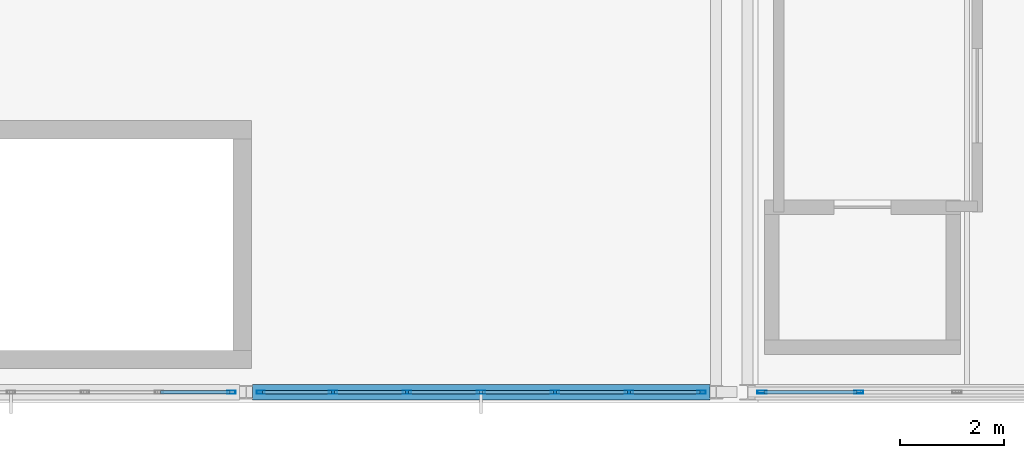
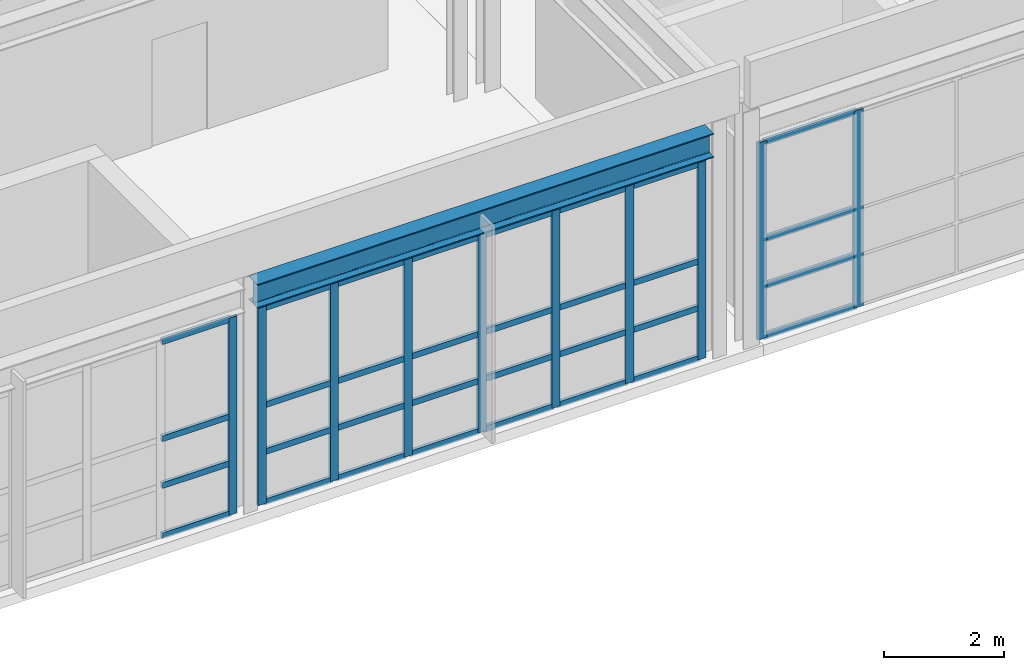
# One storey, part 17 of 38: 42 members, 1 beam, 3 elements without a shape of their own.
"""IFC4 building model written with IfcOpenShell, lengths in metres."""

from ifc_helpers import new_model, si_unit, direction, frame, origin, origin_2d, place, context, subcontext, project, spatial, hollow_rectangle, i_section, extrude, material, material_profile, profile_set, type_object, element, aggregate, save


model = new_model("IFC4")

# Units and contexts
model_context = context("Model", 3, precision=1e-05, world=origin(), true_north=direction((0.0, 1.0)))
body_context = subcontext(model_context, "Body", "Model", "MODEL_VIEW")
ifc_project = project(units=[si_unit("LENGTHUNIT", "METRE"), si_unit("AREAUNIT", "SQUARE_METRE"), si_unit("VOLUMEUNIT", "CUBIC_METRE"), si_unit("PLANEANGLEUNIT", "RADIAN"), si_unit("MASSUNIT", "GRAM", prefix="KILO")], contexts=[model_context])

# Site, building, storey
site_placement = place(None, origin())
site = spatial("IfcSite", under=ifc_project, at=site_placement, CompositionType="ELEMENT")
building_placement = place(site_placement, origin())
building = spatial("IfcBuilding", under=site, at=building_placement, Name="Kaldris Quays Convention Centre", CompositionType="ELEMENT")
storey_placement = place(building_placement, frame((0.0, 0.0, 21.60009765625)))
storey = spatial("IfcBuildingStorey", under=building, at=storey_placement, Name="L04", CompositionType="ELEMENT", Elevation=21.60009765625)

# Curtain wall, member
ifc_material_1 = material(Name="Anodized aluminium AW-6060 and triple glazing", Category="aluminium")
curtain_wall_type_1 = type_object("IfcCurtainWallType", Name="UNITISED CURTAIN WALL CW04", PredefinedType="NOTDEFINED", material=ifc_material_1)
curtain_wall_1_placement = place(storey_placement, origin())
curtain_wall_1 = element("IfcCurtainWall", 1, at=curtain_wall_1_placement, inside=storey, type_object=curtain_wall_type_1, Name="L04 Unitised Curtain Wall CW04 133", PredefinedType="NOTDEFINED")
ifc_material_2 = material(Name="Anodized aluminium AW-6060", Category="aluminium")
ifc_material_profile_1 = material_profile(ifc_material_2, hollow_rectangle(XDim=0.06005859375, YDim=0.159912109375, WallThickness=0.00390625, at=origin_2d()), Name="RHS 160x60x4")
ifc_profile_set_1 = profile_set([ifc_material_profile_1], Name="Anodized aluminium AW-6060")
member_type_1 = type_object("IfcMemberType", Name="CURTAIN MULLION CWM1", PredefinedType="MULLION", material=ifc_profile_set_1)
member_1_placement = place(storey_placement, frame((136.719970703125, 38.0, 0.0), z_axis=(0.0, 0.0, 1.0), x_axis=(0.0, 1.0, 0.0)))
member_1 = element("IfcMember", 2, at=member_1_placement, type_object=member_type_1, Name="CW04 mullion 7", PredefinedType="MULLION", context=body_context, shape_type="SweptSolid", body=[
    extrude(hollow_rectangle(XDim=0.06005859375, YDim=0.159912109375, WallThickness=0.00390625, at=origin_2d()), origin(), (0.0, 0.0, 1.0), 4.0),
])

# Curtain wall, members
curtain_wall_2_placement = place(storey_placement, origin())
curtain_wall_2 = element("IfcCurtainWall", 3, at=curtain_wall_2_placement, inside=storey, type_object=curtain_wall_type_1, Name="L04 Unitised Curtain Wall CW04 134", PredefinedType="NOTDEFINED")
member_2_placement = place(storey_placement, frame((137.280029296875, 38.0, 0.0), z_axis=(0.0, 0.0, 1.0), x_axis=(0.0, 1.0, 0.0)))
member_2 = element("IfcMember", 4, at=member_2_placement, type_object=member_type_1, Name="CW04 mullion 1", PredefinedType="MULLION", context=body_context, shape_type="SweptSolid", body=[
    extrude(hollow_rectangle(XDim=0.06005859375, YDim=0.159912109375, WallThickness=0.00390625, at=origin_2d()), origin(), (0.0, 0.0, 1.0), 4.0),
])
member_3_placement = place(storey_placement, frame((138.666748046875, 38.0, 0.0), z_axis=(0.0, 0.0, 1.0), x_axis=(0.0, 1.0, 0.0)))
member_3 = element("IfcMember", 5, at=member_3_placement, type_object=member_type_1, Name="CW04 mullion 2", PredefinedType="MULLION", context=body_context, shape_type="SweptSolid", body=[
    extrude(hollow_rectangle(XDim=0.06005859375, YDim=0.159912109375, WallThickness=0.00390625, at=origin_2d()), origin(), (0.0, 0.0, 1.0), 4.0),
])
member_4_placement = place(storey_placement, frame((140.083251953125, 38.0, 0.0), z_axis=(0.0, 0.0, 1.0), x_axis=(0.0, 1.0, 0.0)))
member_4 = element("IfcMember", 6, at=member_4_placement, type_object=member_type_1, Name="CW04 mullion 3", PredefinedType="MULLION", context=body_context, shape_type="SweptSolid", body=[
    extrude(hollow_rectangle(XDim=0.06005859375, YDim=0.159912109375, WallThickness=0.00390625, at=origin_2d()), origin(), (0.0, 0.0, 1.0), 4.0),
])
member_5_placement = place(storey_placement, frame((141.5, 38.0, 0.0), z_axis=(0.0, 0.0, 1.0), x_axis=(0.0, 1.0, 0.0)))
member_5 = element("IfcMember", 7, at=member_5_placement, type_object=member_type_1, Name="CW04 mullion 4", PredefinedType="MULLION", context=body_context, shape_type="SweptSolid", body=[
    extrude(hollow_rectangle(XDim=0.06005859375, YDim=0.159912109375, WallThickness=0.00390625, at=origin_2d()), origin(), (0.0, 0.0, 1.0), 4.0),
])
member_6_placement = place(storey_placement, frame((142.916748046875, 38.0, 0.0), z_axis=(0.0, 0.0, 1.0), x_axis=(0.0, 1.0, 0.0)))
member_6 = element("IfcMember", 8, at=member_6_placement, type_object=member_type_1, Name="CW04 mullion 5", PredefinedType="MULLION", context=body_context, shape_type="SweptSolid", body=[
    extrude(hollow_rectangle(XDim=0.06005859375, YDim=0.159912109375, WallThickness=0.00390625, at=origin_2d()), origin(), (0.0, 0.0, 1.0), 4.0),
])
member_7_placement = place(storey_placement, frame((144.333251953125, 38.0, 0.0), z_axis=(0.0, 0.0, 1.0), x_axis=(0.0, 1.0, 0.0)))
member_7 = element("IfcMember", 9, at=member_7_placement, type_object=member_type_1, Name="CW04 mullion 6", PredefinedType="MULLION", context=body_context, shape_type="SweptSolid", body=[
    extrude(hollow_rectangle(XDim=0.06005859375, YDim=0.159912109375, WallThickness=0.00390625, at=origin_2d()), origin(), (0.0, 0.0, 1.0), 4.0),
])
member_8_placement = place(storey_placement, frame((145.719970703125, 38.0, 0.0), z_axis=(0.0, 0.0, 1.0), x_axis=(0.0, 1.0, 0.0)))
member_8 = element("IfcMember", 10, at=member_8_placement, type_object=member_type_1, Name="CW04 mullion 7", PredefinedType="MULLION", context=body_context, shape_type="SweptSolid", body=[
    extrude(hollow_rectangle(XDim=0.06005859375, YDim=0.159912109375, WallThickness=0.00390625, at=origin_2d()), origin(), (0.0, 0.0, 1.0), 4.0),
])

curtain_wall_type_2 = type_object("IfcCurtainWallType", Name="UNITISED CURTAIN WALL CW05", PredefinedType="NOTDEFINED", material=ifc_material_1)
curtain_wall_3_placement = place(storey_placement, origin())
curtain_wall_3 = element("IfcCurtainWall", 11, at=curtain_wall_3_placement, inside=storey, type_object=curtain_wall_type_2, Name="L04 Unitised Curtain Wall CW05 152", PredefinedType="NOTDEFINED")
ifc_material_profile_2 = material_profile(ifc_material_2, hollow_rectangle(XDim=0.06005859375, YDim=0.179931640625, WallThickness=0.0048828125, at=origin_2d()), Name="RHS 180x60x5")
ifc_profile_set_2 = profile_set([ifc_material_profile_2], Name="Anodized aluminium AW-6060")
member_type_2 = type_object("IfcMemberType", Name="CURTAIN MULLION CWM2", PredefinedType="MULLION", material=ifc_profile_set_2)
member_9_placement = place(storey_placement, frame((146.8798828125, 38.0, 0.0), z_axis=(0.0, 0.0, 1.0), x_axis=(0.0, 1.0, 0.0)))
member_9 = element("IfcMember", 12, at=member_9_placement, type_object=member_type_2, Name="CW05 mullion 1", PredefinedType="MULLION", context=body_context, shape_type="SweptSolid", body=[
    extrude(hollow_rectangle(XDim=0.06005859375, YDim=0.179931640625, WallThickness=0.0048828125, at=origin_2d()), origin(), (0.0, 0.0, 1.0), 4.0),
])
member_10_placement = place(storey_placement, frame((148.727783203125, 38.0, 0.0), z_axis=(0.0, 0.0, 1.0), x_axis=(0.0, 1.0, 0.0)))
member_10 = element("IfcMember", 13, at=member_10_placement, type_object=member_type_2, Name="CW05 mullion 2", PredefinedType="MULLION", context=body_context, shape_type="SweptSolid", body=[
    extrude(hollow_rectangle(XDim=0.06005859375, YDim=0.179931640625, WallThickness=0.0048828125, at=origin_2d()), origin(), (0.0, 0.0, 1.0), 4.0),
])

# Member
ifc_material_profile_3 = material_profile(ifc_material_2, hollow_rectangle(XDim=0.06005859375, YDim=0.1201171875, WallThickness=0.00390625, at=origin_2d()), Name="RHS 120x60x4")
ifc_profile_set_3 = profile_set([ifc_material_profile_3], Name="Anodized aluminium AW-6060")
member_type_3 = type_object("IfcMemberType", Name="CURTAIN TRANSOM CWT1", PredefinedType="USERDEFINED", material=ifc_profile_set_3)
member_11_placement = place(storey_placement, frame((135.36328125, 38.0, 0.02978515625), z_axis=(1.0, 0.0, 0.0), x_axis=(0.0, 1.0, 0.0)))
member_11 = element("IfcMember", 14, at=member_11_placement, type_object=member_type_3, Name="CW04 transom 6.1", ObjectType="TRANSOM", PredefinedType="USERDEFINED", context=body_context, shape_type="SweptSolid", body=[
    extrude(hollow_rectangle(XDim=0.06005859375, YDim=0.1201171875, WallThickness=0.00390625, at=origin_2d()), origin(), (0.0, 0.0, 1.0), 1.32666015625),
])

member_12_placement = place(storey_placement, frame((135.36328125, 38.0, 1.0498046875), z_axis=(1.0, 0.0, 0.0), x_axis=(0.0, 1.0, 0.0)))
member_12 = element("IfcMember", 15, at=member_12_placement, type_object=member_type_3, Name="CW04 transom 6.2", ObjectType="TRANSOM", PredefinedType="USERDEFINED", context=body_context, shape_type="SweptSolid", body=[
    extrude(hollow_rectangle(XDim=0.06005859375, YDim=0.1201171875, WallThickness=0.00390625, at=origin_2d()), origin(), (0.0, 0.0, 1.0), 1.32666015625),
])

member_13_placement = place(storey_placement, frame((135.36328125, 38.0, 2.0), z_axis=(1.0, 0.0, 0.0), x_axis=(0.0, 1.0, 0.0)))
member_13 = element("IfcMember", 16, at=member_13_placement, type_object=member_type_3, Name="CW04 transom 6.3", ObjectType="TRANSOM", PredefinedType="USERDEFINED", context=body_context, shape_type="SweptSolid", body=[
    extrude(hollow_rectangle(XDim=0.06005859375, YDim=0.1201171875, WallThickness=0.00390625, at=origin_2d()), origin(), (0.0, 0.0, 1.0), 1.32666015625),
])

member_14_placement = place(storey_placement, frame((135.36328125, 38.0, 3.969970703125), z_axis=(1.0, 0.0, 0.0), x_axis=(0.0, 1.0, 0.0)))
member_14 = element("IfcMember", 17, at=member_14_placement, type_object=member_type_3, Name="CW04 transom 6.4", ObjectType="TRANSOM", PredefinedType="USERDEFINED", context=body_context, shape_type="SweptSolid", body=[
    extrude(hollow_rectangle(XDim=0.06005859375, YDim=0.1201171875, WallThickness=0.00390625, at=origin_2d()), origin(), (0.0, 0.0, 1.0), 1.32666015625),
])

aggregate(curtain_wall_1, [member_1, member_11, member_12, member_13, member_14])

member_15_placement = place(storey_placement, frame((137.31005859375, 38.0, 0.02978515625), z_axis=(1.0, 0.0, 0.0), x_axis=(0.0, 1.0, 0.0)))
member_15 = element("IfcMember", 18, at=member_15_placement, type_object=member_type_3, Name="CW04 transom 1.1", ObjectType="TRANSOM", PredefinedType="USERDEFINED", context=body_context, shape_type="SweptSolid", body=[
    extrude(hollow_rectangle(XDim=0.06005859375, YDim=0.1201171875, WallThickness=0.00390625, at=origin_2d()), origin(), (0.0, 0.0, 1.0), 1.32666015625),
])

member_16_placement = place(storey_placement, frame((137.31005859375, 38.0, 1.0498046875), z_axis=(1.0, 0.0, 0.0), x_axis=(0.0, 1.0, 0.0)))
member_16 = element("IfcMember", 19, at=member_16_placement, type_object=member_type_3, Name="CW04 transom 1.2", ObjectType="TRANSOM", PredefinedType="USERDEFINED", context=body_context, shape_type="SweptSolid", body=[
    extrude(hollow_rectangle(XDim=0.06005859375, YDim=0.1201171875, WallThickness=0.00390625, at=origin_2d()), origin(), (0.0, 0.0, 1.0), 1.32666015625),
])

member_17_placement = place(storey_placement, frame((137.31005859375, 38.0, 2.0), z_axis=(1.0, 0.0, 0.0), x_axis=(0.0, 1.0, 0.0)))
member_17 = element("IfcMember", 20, at=member_17_placement, type_object=member_type_3, Name="CW04 transom 1.3", ObjectType="TRANSOM", PredefinedType="USERDEFINED", context=body_context, shape_type="SweptSolid", body=[
    extrude(hollow_rectangle(XDim=0.06005859375, YDim=0.1201171875, WallThickness=0.00390625, at=origin_2d()), origin(), (0.0, 0.0, 1.0), 1.32666015625),
])

member_18_placement = place(storey_placement, frame((137.31005859375, 38.0, 3.969970703125), z_axis=(1.0, 0.0, 0.0), x_axis=(0.0, 1.0, 0.0)))
member_18 = element("IfcMember", 21, at=member_18_placement, type_object=member_type_3, Name="CW04 transom 1.4", ObjectType="TRANSOM", PredefinedType="USERDEFINED", context=body_context, shape_type="SweptSolid", body=[
    extrude(hollow_rectangle(XDim=0.06005859375, YDim=0.1201171875, WallThickness=0.00390625, at=origin_2d()), origin(), (0.0, 0.0, 1.0), 1.32666015625),
])

member_19_placement = place(storey_placement, frame((138.69677734375, 38.0, 0.02978515625), z_axis=(1.0, 0.0, 0.0), x_axis=(0.0, 1.0, 0.0)))
member_19 = element("IfcMember", 22, at=member_19_placement, type_object=member_type_3, Name="CW04 transom 2.1", ObjectType="TRANSOM", PredefinedType="USERDEFINED", context=body_context, shape_type="SweptSolid", body=[
    extrude(hollow_rectangle(XDim=0.06005859375, YDim=0.1201171875, WallThickness=0.00390625, at=origin_2d()), origin(), (0.0, 0.0, 1.0), 1.3564453125),
])

member_20_placement = place(storey_placement, frame((138.69677734375, 38.0, 1.0498046875), z_axis=(1.0, 0.0, 0.0), x_axis=(0.0, 1.0, 0.0)))
member_20 = element("IfcMember", 23, at=member_20_placement, type_object=member_type_3, Name="CW04 transom 2.2", ObjectType="TRANSOM", PredefinedType="USERDEFINED", context=body_context, shape_type="SweptSolid", body=[
    extrude(hollow_rectangle(XDim=0.06005859375, YDim=0.1201171875, WallThickness=0.00390625, at=origin_2d()), origin(), (0.0, 0.0, 1.0), 1.3564453125),
])

member_21_placement = place(storey_placement, frame((138.69677734375, 38.0, 2.0), z_axis=(1.0, 0.0, 0.0), x_axis=(0.0, 1.0, 0.0)))
member_21 = element("IfcMember", 24, at=member_21_placement, type_object=member_type_3, Name="CW04 transom 2.3", ObjectType="TRANSOM", PredefinedType="USERDEFINED", context=body_context, shape_type="SweptSolid", body=[
    extrude(hollow_rectangle(XDim=0.06005859375, YDim=0.1201171875, WallThickness=0.00390625, at=origin_2d()), origin(), (0.0, 0.0, 1.0), 1.3564453125),
])

member_22_placement = place(storey_placement, frame((138.69677734375, 38.0, 3.969970703125), z_axis=(1.0, 0.0, 0.0), x_axis=(0.0, 1.0, 0.0)))
member_22 = element("IfcMember", 25, at=member_22_placement, type_object=member_type_3, Name="CW04 transom 2.4", ObjectType="TRANSOM", PredefinedType="USERDEFINED", context=body_context, shape_type="SweptSolid", body=[
    extrude(hollow_rectangle(XDim=0.06005859375, YDim=0.1201171875, WallThickness=0.00390625, at=origin_2d()), origin(), (0.0, 0.0, 1.0), 1.3564453125),
])

member_23_placement = place(storey_placement, frame((140.11328125, 38.0, 0.02978515625), z_axis=(1.0, 0.0, 0.0), x_axis=(0.0, 1.0, 0.0)))
member_23 = element("IfcMember", 26, at=member_23_placement, type_object=member_type_3, Name="CW04 transom 3.1", ObjectType="TRANSOM", PredefinedType="USERDEFINED", context=body_context, shape_type="SweptSolid", body=[
    extrude(hollow_rectangle(XDim=0.06005859375, YDim=0.1201171875, WallThickness=0.00390625, at=origin_2d()), origin(), (0.0, 0.0, 1.0), 1.356689453125),
])

member_24_placement = place(storey_placement, frame((140.11328125, 38.0, 1.0498046875), z_axis=(1.0, 0.0, 0.0), x_axis=(0.0, 1.0, 0.0)))
member_24 = element("IfcMember", 27, at=member_24_placement, type_object=member_type_3, Name="CW04 transom 3.2", ObjectType="TRANSOM", PredefinedType="USERDEFINED", context=body_context, shape_type="SweptSolid", body=[
    extrude(hollow_rectangle(XDim=0.06005859375, YDim=0.1201171875, WallThickness=0.00390625, at=origin_2d()), origin(), (0.0, 0.0, 1.0), 1.356689453125),
])

member_25_placement = place(storey_placement, frame((140.11328125, 38.0, 2.0), z_axis=(1.0, 0.0, 0.0), x_axis=(0.0, 1.0, 0.0)))
member_25 = element("IfcMember", 28, at=member_25_placement, type_object=member_type_3, Name="CW04 transom 3.3", ObjectType="TRANSOM", PredefinedType="USERDEFINED", context=body_context, shape_type="SweptSolid", body=[
    extrude(hollow_rectangle(XDim=0.06005859375, YDim=0.1201171875, WallThickness=0.00390625, at=origin_2d()), origin(), (0.0, 0.0, 1.0), 1.356689453125),
])

member_26_placement = place(storey_placement, frame((140.11328125, 38.0, 3.969970703125), z_axis=(1.0, 0.0, 0.0), x_axis=(0.0, 1.0, 0.0)))
member_26 = element("IfcMember", 29, at=member_26_placement, type_object=member_type_3, Name="CW04 transom 3.4", ObjectType="TRANSOM", PredefinedType="USERDEFINED", context=body_context, shape_type="SweptSolid", body=[
    extrude(hollow_rectangle(XDim=0.06005859375, YDim=0.1201171875, WallThickness=0.00390625, at=origin_2d()), origin(), (0.0, 0.0, 1.0), 1.356689453125),
])

member_27_placement = place(storey_placement, frame((141.530029296875, 38.0, 0.02978515625), z_axis=(1.0, 0.0, 0.0), x_axis=(0.0, 1.0, 0.0)))
member_27 = element("IfcMember", 30, at=member_27_placement, type_object=member_type_3, Name="CW04 transom 4.1", ObjectType="TRANSOM", PredefinedType="USERDEFINED", context=body_context, shape_type="SweptSolid", body=[
    extrude(hollow_rectangle(XDim=0.06005859375, YDim=0.1201171875, WallThickness=0.00390625, at=origin_2d()), origin(), (0.0, 0.0, 1.0), 1.356689453125),
])

member_28_placement = place(storey_placement, frame((141.530029296875, 38.0, 1.0498046875), z_axis=(1.0, 0.0, 0.0), x_axis=(0.0, 1.0, 0.0)))
member_28 = element("IfcMember", 31, at=member_28_placement, type_object=member_type_3, Name="CW04 transom 4.2", ObjectType="TRANSOM", PredefinedType="USERDEFINED", context=body_context, shape_type="SweptSolid", body=[
    extrude(hollow_rectangle(XDim=0.06005859375, YDim=0.1201171875, WallThickness=0.00390625, at=origin_2d()), origin(), (0.0, 0.0, 1.0), 1.356689453125),
])

member_29_placement = place(storey_placement, frame((141.530029296875, 38.0, 2.0), z_axis=(1.0, 0.0, 0.0), x_axis=(0.0, 1.0, 0.0)))
member_29 = element("IfcMember", 32, at=member_29_placement, type_object=member_type_3, Name="CW04 transom 4.3", ObjectType="TRANSOM", PredefinedType="USERDEFINED", context=body_context, shape_type="SweptSolid", body=[
    extrude(hollow_rectangle(XDim=0.06005859375, YDim=0.1201171875, WallThickness=0.00390625, at=origin_2d()), origin(), (0.0, 0.0, 1.0), 1.356689453125),
])

member_30_placement = place(storey_placement, frame((141.530029296875, 38.0, 3.969970703125), z_axis=(1.0, 0.0, 0.0), x_axis=(0.0, 1.0, 0.0)))
member_30 = element("IfcMember", 33, at=member_30_placement, type_object=member_type_3, Name="CW04 transom 4.4", ObjectType="TRANSOM", PredefinedType="USERDEFINED", context=body_context, shape_type="SweptSolid", body=[
    extrude(hollow_rectangle(XDim=0.06005859375, YDim=0.1201171875, WallThickness=0.00390625, at=origin_2d()), origin(), (0.0, 0.0, 1.0), 1.356689453125),
])

member_31_placement = place(storey_placement, frame((142.94677734375, 38.0, 0.02978515625), z_axis=(1.0, 0.0, 0.0), x_axis=(0.0, 1.0, 0.0)))
member_31 = element("IfcMember", 34, at=member_31_placement, type_object=member_type_3, Name="CW04 transom 5.1", ObjectType="TRANSOM", PredefinedType="USERDEFINED", context=body_context, shape_type="SweptSolid", body=[
    extrude(hollow_rectangle(XDim=0.06005859375, YDim=0.1201171875, WallThickness=0.00390625, at=origin_2d()), origin(), (0.0, 0.0, 1.0), 1.3564453125),
])

member_32_placement = place(storey_placement, frame((142.94677734375, 38.0, 1.0498046875), z_axis=(1.0, 0.0, 0.0), x_axis=(0.0, 1.0, 0.0)))
member_32 = element("IfcMember", 35, at=member_32_placement, type_object=member_type_3, Name="CW04 transom 5.2", ObjectType="TRANSOM", PredefinedType="USERDEFINED", context=body_context, shape_type="SweptSolid", body=[
    extrude(hollow_rectangle(XDim=0.06005859375, YDim=0.1201171875, WallThickness=0.00390625, at=origin_2d()), origin(), (0.0, 0.0, 1.0), 1.3564453125),
])

member_33_placement = place(storey_placement, frame((142.94677734375, 38.0, 2.0), z_axis=(1.0, 0.0, 0.0), x_axis=(0.0, 1.0, 0.0)))
member_33 = element("IfcMember", 36, at=member_33_placement, type_object=member_type_3, Name="CW04 transom 5.3", ObjectType="TRANSOM", PredefinedType="USERDEFINED", context=body_context, shape_type="SweptSolid", body=[
    extrude(hollow_rectangle(XDim=0.06005859375, YDim=0.1201171875, WallThickness=0.00390625, at=origin_2d()), origin(), (0.0, 0.0, 1.0), 1.3564453125),
])

member_34_placement = place(storey_placement, frame((142.94677734375, 38.0, 3.969970703125), z_axis=(1.0, 0.0, 0.0), x_axis=(0.0, 1.0, 0.0)))
member_34 = element("IfcMember", 37, at=member_34_placement, type_object=member_type_3, Name="CW04 transom 5.4", ObjectType="TRANSOM", PredefinedType="USERDEFINED", context=body_context, shape_type="SweptSolid", body=[
    extrude(hollow_rectangle(XDim=0.06005859375, YDim=0.1201171875, WallThickness=0.00390625, at=origin_2d()), origin(), (0.0, 0.0, 1.0), 1.3564453125),
])

member_35_placement = place(storey_placement, frame((144.36328125, 38.0, 0.02978515625), z_axis=(1.0, 0.0, 0.0), x_axis=(0.0, 1.0, 0.0)))
member_35 = element("IfcMember", 38, at=member_35_placement, type_object=member_type_3, Name="CW04 transom 6.1", ObjectType="TRANSOM", PredefinedType="USERDEFINED", context=body_context, shape_type="SweptSolid", body=[
    extrude(hollow_rectangle(XDim=0.06005859375, YDim=0.1201171875, WallThickness=0.00390625, at=origin_2d()), origin(), (0.0, 0.0, 1.0), 1.32666015625),
])

member_36_placement = place(storey_placement, frame((144.36328125, 38.0, 1.0498046875), z_axis=(1.0, 0.0, 0.0), x_axis=(0.0, 1.0, 0.0)))
member_36 = element("IfcMember", 39, at=member_36_placement, type_object=member_type_3, Name="CW04 transom 6.2", ObjectType="TRANSOM", PredefinedType="USERDEFINED", context=body_context, shape_type="SweptSolid", body=[
    extrude(hollow_rectangle(XDim=0.06005859375, YDim=0.1201171875, WallThickness=0.00390625, at=origin_2d()), origin(), (0.0, 0.0, 1.0), 1.32666015625),
])

member_37_placement = place(storey_placement, frame((144.36328125, 38.0, 2.0), z_axis=(1.0, 0.0, 0.0), x_axis=(0.0, 1.0, 0.0)))
member_37 = element("IfcMember", 40, at=member_37_placement, type_object=member_type_3, Name="CW04 transom 6.3", ObjectType="TRANSOM", PredefinedType="USERDEFINED", context=body_context, shape_type="SweptSolid", body=[
    extrude(hollow_rectangle(XDim=0.06005859375, YDim=0.1201171875, WallThickness=0.00390625, at=origin_2d()), origin(), (0.0, 0.0, 1.0), 1.32666015625),
])

member_38_placement = place(storey_placement, frame((144.36328125, 38.0, 3.969970703125), z_axis=(1.0, 0.0, 0.0), x_axis=(0.0, 1.0, 0.0)))
member_38 = element("IfcMember", 41, at=member_38_placement, type_object=member_type_3, Name="CW04 transom 6.4", ObjectType="TRANSOM", PredefinedType="USERDEFINED", context=body_context, shape_type="SweptSolid", body=[
    extrude(hollow_rectangle(XDim=0.06005859375, YDim=0.1201171875, WallThickness=0.00390625, at=origin_2d()), origin(), (0.0, 0.0, 1.0), 1.32666015625),
])

aggregate(curtain_wall_2, [member_2, member_3, member_4, member_5, member_6, member_7, member_8, member_15, member_16, member_17, member_18, member_19, member_20, member_21, member_22, member_23, member_24, member_25, member_26, member_27, member_28, member_29, member_30, member_31, member_32, member_33, member_34, member_35, member_36, member_37, member_38])

member_39_placement = place(storey_placement, frame((146.909912109375, 38.0, 0.02978515625), z_axis=(1.0, 0.0, 0.0), x_axis=(0.0, 1.0, 0.0)))
member_39 = element("IfcMember", 42, at=member_39_placement, type_object=member_type_3, Name="CW05 transom 1.1", ObjectType="TRANSOM", PredefinedType="USERDEFINED", context=body_context, shape_type="SweptSolid", body=[
    extrude(hollow_rectangle(XDim=0.06005859375, YDim=0.1201171875, WallThickness=0.00390625, at=origin_2d()), origin(), (0.0, 0.0, 1.0), 1.787841796875),
])

member_40_placement = place(storey_placement, frame((146.909912109375, 38.0, 1.0498046875), z_axis=(1.0, 0.0, 0.0), x_axis=(0.0, 1.0, 0.0)))
member_40 = element("IfcMember", 43, at=member_40_placement, type_object=member_type_3, Name="CW05 transom 1.2", ObjectType="TRANSOM", PredefinedType="USERDEFINED", context=body_context, shape_type="SweptSolid", body=[
    extrude(hollow_rectangle(XDim=0.06005859375, YDim=0.1201171875, WallThickness=0.00390625, at=origin_2d()), origin(), (0.0, 0.0, 1.0), 1.787841796875),
])

member_41_placement = place(storey_placement, frame((146.909912109375, 38.0, 2.0), z_axis=(1.0, 0.0, 0.0), x_axis=(0.0, 1.0, 0.0)))
member_41 = element("IfcMember", 44, at=member_41_placement, type_object=member_type_3, Name="CW05 transom 1.3", ObjectType="TRANSOM", PredefinedType="USERDEFINED", context=body_context, shape_type="SweptSolid", body=[
    extrude(hollow_rectangle(XDim=0.06005859375, YDim=0.1201171875, WallThickness=0.00390625, at=origin_2d()), origin(), (0.0, 0.0, 1.0), 1.787841796875),
])

member_42_placement = place(storey_placement, frame((146.909912109375, 38.0, 3.969970703125), z_axis=(1.0, 0.0, 0.0), x_axis=(0.0, 1.0, 0.0)))
member_42 = element("IfcMember", 45, at=member_42_placement, type_object=member_type_3, Name="CW05 transom 1.4", ObjectType="TRANSOM", PredefinedType="USERDEFINED", context=body_context, shape_type="SweptSolid", body=[
    extrude(hollow_rectangle(XDim=0.06005859375, YDim=0.1201171875, WallThickness=0.00390625, at=origin_2d()), origin(), (0.0, 0.0, 1.0), 1.787841796875),
])

aggregate(curtain_wall_3, [member_9, member_10, member_39, member_40, member_41, member_42])

# Beam
ifc_material_3 = material(Name="Steel S355J2", Category="steel")
ifc_material_profile_4 = material_profile(ifc_material_3, i_section(OverallWidth=0.300048828125, OverallDepth=0.489990234375, WebThickness=0.011962890625, FlangeThickness=0.02294921875, FilletRadius=0.027099609375, at=origin_2d()), Name="HEA 500")
ifc_profile_set_4 = profile_set([ifc_material_profile_4], Name="Steel S355J2")
beam_type = type_object("IfcBeamType", Name="STRUCTURAL BEAM BM09", PredefinedType="BEAM", material=ifc_profile_set_4)
beam_placement = place(storey_placement, frame((137.1240234375, 38.0, 4.347900390625), z_axis=(1.0, 0.0, 0.0), x_axis=(0.0, 1.0, 0.0)))
element("IfcBeam", 46, at=beam_placement, inside=storey, type_object=beam_type, Name="L04 Girder BM09 6", PredefinedType="BEAM", context=body_context, shape_type="SweptSolid", body=[
    extrude(i_section(OverallWidth=0.300048828125, OverallDepth=0.489990234375, WebThickness=0.011962890625, FlangeThickness=0.02294921875, FilletRadius=0.027099609375, at=origin_2d()), origin(), (0.0, 0.0, 1.0), 8.751953125),
])

save(model, "model.ifc")
